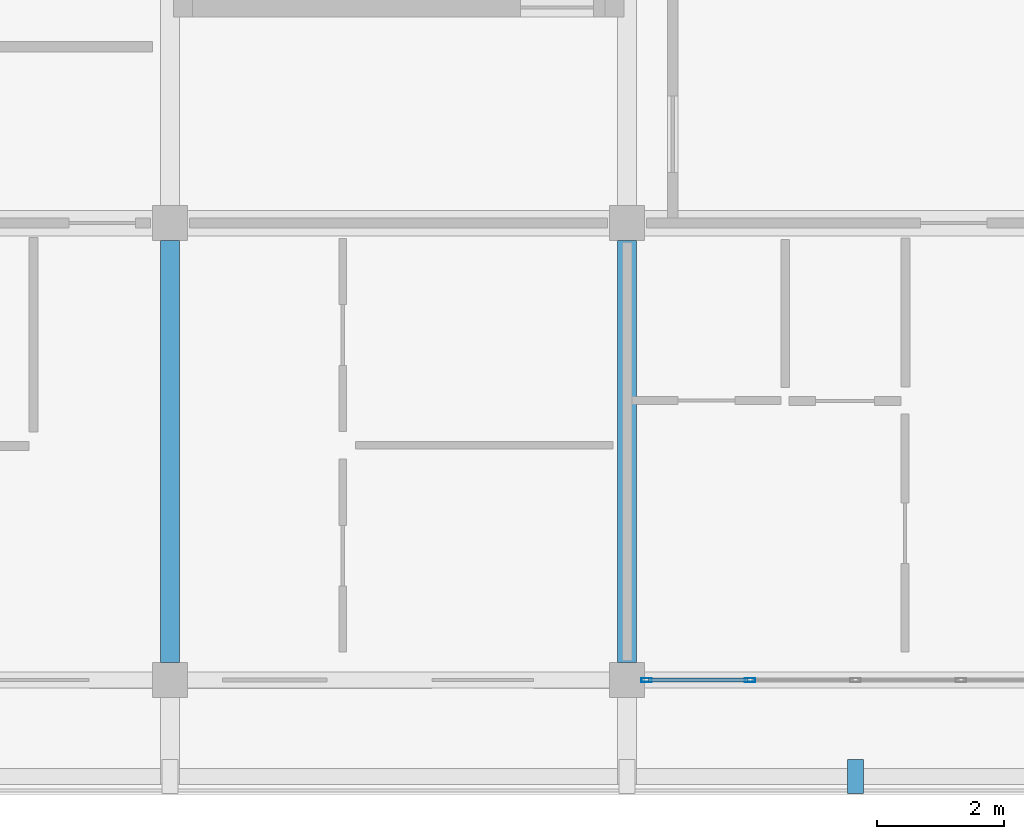
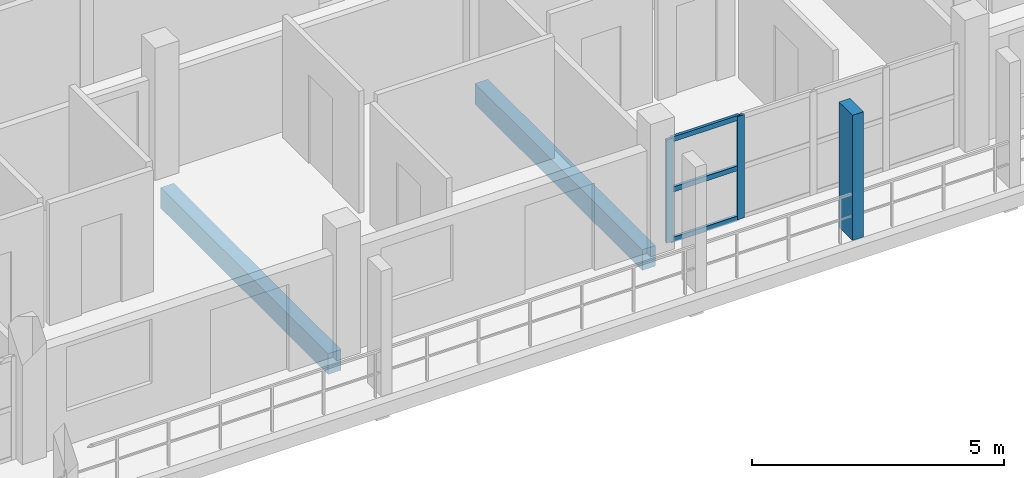
# One storey, part 21 of 65: 6 members, 2 beams, 1 element without a shape of its own.
"""IFC4 building model written with IfcOpenShell, lengths in metres."""

from ifc_helpers import new_model, si_unit, direction, frame, origin, origin_2d, place, context, subcontext, project, spatial, rectangle, hollow_rectangle, extrude, material, material_profile, profile_set, type_object, element, aggregate, save


model = new_model("IFC4")

# Units and contexts
model_context = context("Model", 3, precision=1e-05, world=origin(), true_north=direction((0.0, 1.0)))
body_context = subcontext(model_context, "Body", "Model", "MODEL_VIEW")
ifc_project = project(units=[si_unit("LENGTHUNIT", "METRE"), si_unit("AREAUNIT", "SQUARE_METRE"), si_unit("VOLUMEUNIT", "CUBIC_METRE"), si_unit("PLANEANGLEUNIT", "RADIAN"), si_unit("MASSUNIT", "GRAM", prefix="KILO")], contexts=[model_context])

# Site, building, storey
site_placement = place(None, origin())
site = spatial("IfcSite", under=ifc_project, at=site_placement, CompositionType="ELEMENT")
building_placement = place(site_placement, origin())
building = spatial("IfcBuilding", under=site, at=building_placement, Name="Suanplinth Sawtooth Commons", CompositionType="ELEMENT")
storey_placement = place(building_placement, frame((0.0, 0.0, 28.300048828125)))
storey = spatial("IfcBuildingStorey", under=building, at=storey_placement, Name="L08", CompositionType="ELEMENT", Elevation=28.300048828125)

# Beams
ifc_material_1 = material(Name="Precast concrete C40/50", Category="concrete")
ifc_material_profile_1 = material_profile(ifc_material_1, rectangle(XDim=0.300048828125, YDim=0.5, at=origin_2d()), Name="PC-BM 300x500")
ifc_profile_set_1 = profile_set([ifc_material_profile_1], Name="Precast concrete C40/50")
beam_type = type_object("IfcBeamType", Name="B-07", PredefinedType="BEAM", material=ifc_profile_set_1)
for number, where, z_axis, x_axis, name in (
    (1, (158.39990234375, 0.27490234375, -0.4599609375), (0.0, 1.0, 0.0), (-1.0, 0.0, 0.0), "BMY-L08-C-22-0"),
    (2, (165.60009765625, 0.27490234375, -0.4599609375), (0.0, 1.0, 0.0), (-1.0, 0.0, 0.0), "BMY-L08-C-23-0"),
):
    element("IfcBeam", number, at=place(storey_placement, frame(where, z_axis=z_axis, x_axis=x_axis)), inside=storey, type_object=beam_type, Name=name, PredefinedType="BEAM", context=body_context, shape_type="SweptSolid", body=[
        extrude(rectangle(XDim=0.300048828125, YDim=0.5, at=origin_2d()), origin(), (0.0, 0.0, 1.0), 6.650146484375),
    ])

# Member
ifc_material_2 = material(Name="Pigmented precast concrete C40/50", Category="concrete")
ifc_material_profile_2 = material_profile(ifc_material_2, rectangle(XDim=0.25, YDim=0.5400390625, at=origin_2d()), Name="PC-FIN 250x540")
ifc_profile_set_2 = profile_set([ifc_material_profile_2], Name="Pigmented precast concrete C40/50")
member_type_1 = type_object("IfcMemberType", Name="M-11", PredefinedType="USERDEFINED", material=ifc_profile_set_2)
member_1_placement = place(storey_placement, frame((169.199951171875, -1.52001953125, 0.0), z_axis=(0.0, 0.0, 1.0), x_axis=(1.0, 0.0, 0.0)))
element("IfcMember", 3, at=member_1_placement, inside=storey, type_object=member_type_1, Name="Upright Solar Blade L08-C-S-06", ObjectType="SHADING FIN", PredefinedType="USERDEFINED", context=body_context, shape_type="SweptSolid", body=[
    extrude(rectangle(XDim=0.25, YDim=0.5400390625, at=origin_2d()), origin(), (0.0, 0.0, 1.0), 3.030029296875),
])

# Curtain wall, members
ifc_material_3 = material(Name="Anodized aluminium and low-E glazing", Category="aluminium")
curtain_wall_type = type_object("IfcCurtainWallType", Name="CW-06", PredefinedType="USERDEFINED", material=ifc_material_3)
curtain_wall_placement = place(storey_placement, origin())
curtain_wall = element("IfcCurtainWall", 4, at=curtain_wall_placement, inside=storey, type_object=curtain_wall_type, Name="Curtain Wall CW-L08-C-LOUNGE-23", ObjectType="CURTAIN WALL", PredefinedType="USERDEFINED")
ifc_material_4 = material(Name="Anodized aluminium 6063-T6", Category="aluminium")
ifc_material_profile_3 = material_profile(ifc_material_4, hollow_rectangle(XDim=0.06494140625, YDim=0.159912109375, WallThickness=0.00390625, at=origin_2d()), Name="ALU-MUL 65x160")
ifc_profile_set_3 = profile_set([ifc_material_profile_3], Name="Anodized aluminium 6063-T6")
member_type_2 = type_object("IfcMemberType", Name="M-13", PredefinedType="MULLION", material=ifc_profile_set_3)
member_2_placement = place(storey_placement, frame((165.907470703125, 0.0, 0.0), z_axis=(0.0, 0.0, 1.0), x_axis=(0.0, 1.0, 0.0)))
member_2 = element("IfcMember", 5, at=member_2_placement, type_object=member_type_2, Name="CW-06 mullion 1", PredefinedType="MULLION", context=body_context, shape_type="SweptSolid", body=[
    extrude(hollow_rectangle(XDim=0.06494140625, YDim=0.159912109375, WallThickness=0.00390625, at=origin_2d()), origin(), (0.0, 0.0, 1.0), 2.5),
])
member_3_placement = place(storey_placement, frame((167.53759765625, 0.0, 0.0), z_axis=(0.0, 0.0, 1.0), x_axis=(0.0, 1.0, 0.0)))
member_3 = element("IfcMember", 6, at=member_3_placement, type_object=member_type_2, Name="CW-06 mullion 2", PredefinedType="MULLION", context=body_context, shape_type="SweptSolid", body=[
    extrude(hollow_rectangle(XDim=0.06494140625, YDim=0.159912109375, WallThickness=0.00390625, at=origin_2d()), origin(), (0.0, 0.0, 1.0), 2.5),
])
ifc_material_profile_4 = material_profile(ifc_material_4, hollow_rectangle(XDim=0.06494140625, YDim=0.1201171875, WallThickness=0.00390625, at=origin_2d()), Name="ALU-TRN 65x120")
ifc_profile_set_4 = profile_set([ifc_material_profile_4], Name="Anodized aluminium 6063-T6")
member_type_3 = type_object("IfcMemberType", Name="M-15", PredefinedType="USERDEFINED", material=ifc_profile_set_4)
member_4_placement = place(storey_placement, frame((165.93994140625, 0.0, 0.032470703125), z_axis=(1.0, 0.0, 0.0), x_axis=(0.0, 1.0, 0.0)))
member_4 = element("IfcMember", 7, at=member_4_placement, type_object=member_type_3, Name="CW-06 transom 1.1", ObjectType="TRANSOM", PredefinedType="USERDEFINED", context=body_context, shape_type="SweptSolid", body=[
    extrude(hollow_rectangle(XDim=0.06494140625, YDim=0.1201171875, WallThickness=0.00390625, at=origin_2d()), origin(), (0.0, 0.0, 1.0), 1.56494140625),
])
member_5_placement = place(storey_placement, frame((165.93994140625, 0.0, 1.25), z_axis=(1.0, 0.0, 0.0), x_axis=(0.0, 1.0, 0.0)))
member_5 = element("IfcMember", 8, at=member_5_placement, type_object=member_type_3, Name="CW-06 transom 1.2", ObjectType="TRANSOM", PredefinedType="USERDEFINED", context=body_context, shape_type="SweptSolid", body=[
    extrude(hollow_rectangle(XDim=0.06494140625, YDim=0.1201171875, WallThickness=0.00390625, at=origin_2d()), origin(), (0.0, 0.0, 1.0), 1.56494140625),
])
member_6_placement = place(storey_placement, frame((165.93994140625, 0.0, 2.467529296875), z_axis=(1.0, 0.0, 0.0), x_axis=(0.0, 1.0, 0.0)))
member_6 = element("IfcMember", 9, at=member_6_placement, type_object=member_type_3, Name="CW-06 transom 1.3", ObjectType="TRANSOM", PredefinedType="USERDEFINED", context=body_context, shape_type="SweptSolid", body=[
    extrude(hollow_rectangle(XDim=0.06494140625, YDim=0.1201171875, WallThickness=0.00390625, at=origin_2d()), origin(), (0.0, 0.0, 1.0), 1.56494140625),
])
aggregate(curtain_wall, [member_2, member_3, member_4, member_5, member_6])

save(model, "model.ifc")
